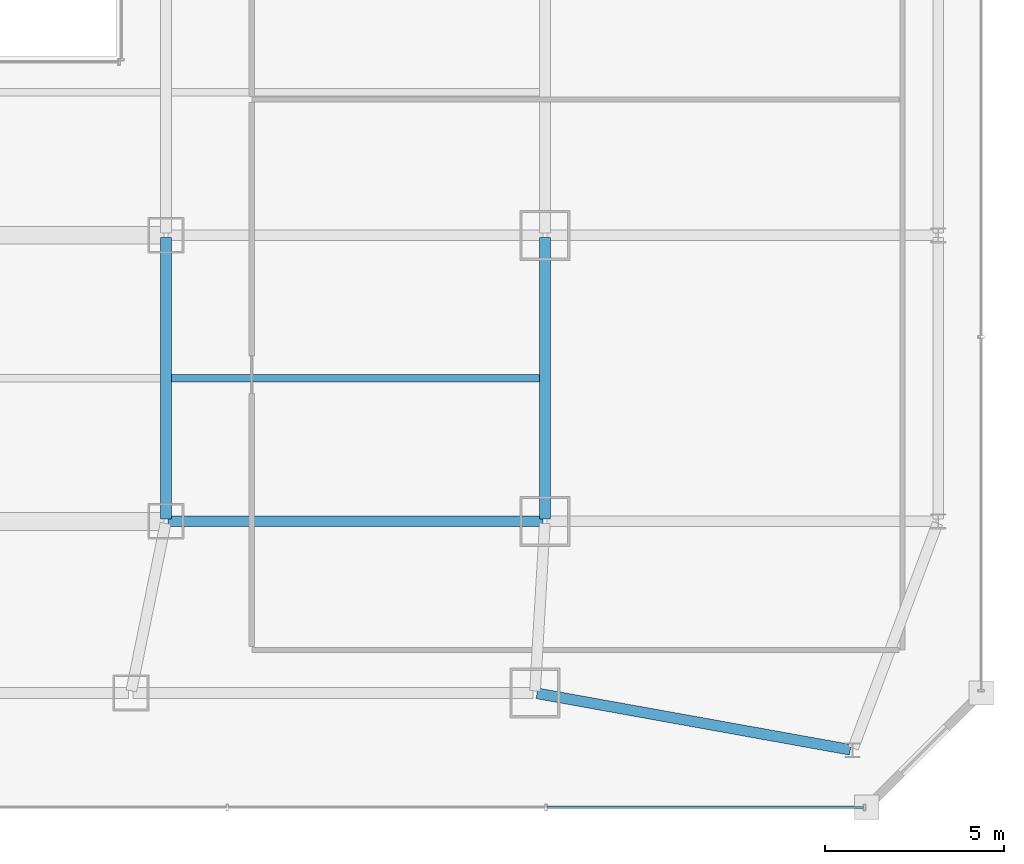
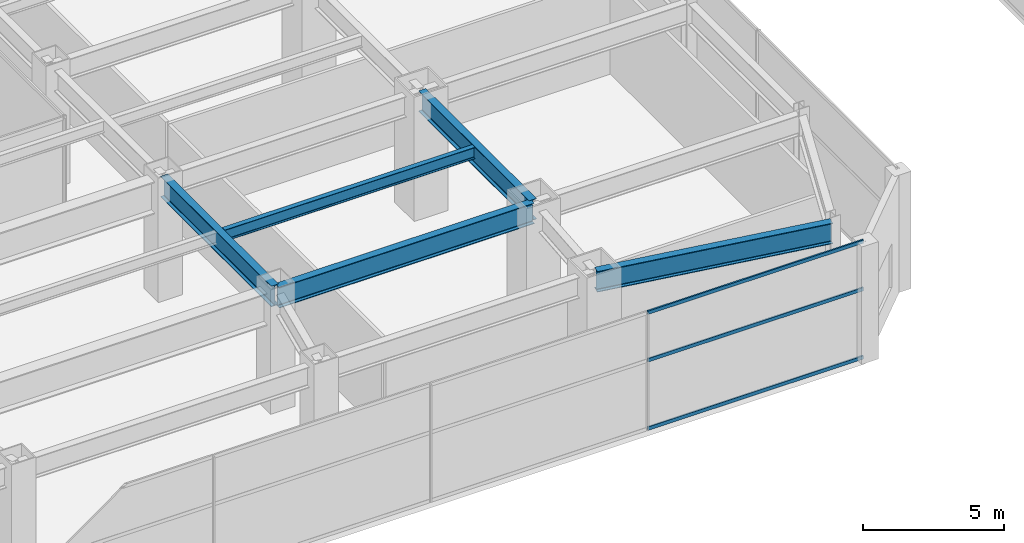
# One storey, part 16 of 51: 5 beams, 3 members, 1 element without a shape of its own.
"""IFC4 building model written with IfcOpenShell, lengths in metres."""

import ifcopenshell
import ifcopenshell.guid

model = None  # the IFC model being written
_history = None  # IfcOwnerHistory: only IFC2X3 demands one
_inside = {}  # id of a spatial element -> (the spatial element, [elements in it])
_under = {}  # id of a project, library or spatial element -> (it, [spatial elements below it])
_declared = {}  # id of a project -> (the project, [libraries it declares])
_typed = {}  # id of a type object -> (the type object, [elements of that type])
_made_of = {}  # id of a material, layer set ... -> (it, [elements and type objects made of it])


def new_model(schema):
    """Start an empty IFC model of exactly this schema.

    Asked for "IFC4X3", IfcOpenShell would pick the latest addendum, in which some entities
    have other attributes; the version numbers below select the first issue.
    IFC2X3 requires an IfcOwnerHistory on every rooted entity: one is made here for all.
    """
    global model, _history
    if schema == "IFC4X3":
        model = ifcopenshell.file(schema_version=(4, 3, 0, 0))
    else:
        model = ifcopenshell.file(schema=schema)
    _inside.clear()
    _under.clear()
    _declared.clear()
    _typed.clear()
    _made_of.clear()
    _history = None
    if model.schema == "IFC2X3":
        org = make("IfcOrganization", Name="unknown")
        user = make(
            "IfcPersonAndOrganization",
            ThePerson=make("IfcPerson", FamilyName="unknown"),
            TheOrganization=org,
        )
        app = make(
            "IfcApplication",
            ApplicationDeveloper=org,
            Version="unknown",
            ApplicationFullName="unknown",
            ApplicationIdentifier="unknown",
        )
        _history = make(
            "IfcOwnerHistory",
            OwningUser=user,
            OwningApplication=app,
            ChangeAction="ADDED",
            CreationDate=0,
        )
    return model


def make(cls, **values):
    """One entity of the class cls with the attributes given. An attribute that is None is left unset."""
    return model.create_entity(
        cls, **{name: value for name, value in values.items() if value is not None}
    )


def rooted(cls, **values):
    """An entity with a GlobalId (a new one), such as an element, a storey or a relation."""
    return make(cls, GlobalId=ifcopenshell.guid.new(), OwnerHistory=_history, **values)


def si_unit(unit_type, name, prefix=None):
    """IfcSIUnit, for example si_unit("LENGTHUNIT", "METRE", prefix="MILLI")."""
    return make("IfcSIUnit", UnitType=unit_type, Prefix=prefix, Name=name)


def assignment(units):
    """IfcUnitAssignment: the units of a project."""
    return None if units is None else make("IfcUnitAssignment", Units=units)


def point(xyz):
    """IfcCartesianPoint."""
    return None if xyz is None else make("IfcCartesianPoint", Coordinates=xyz)


def direction(xyz):
    """IfcDirection."""
    return None if xyz is None else make("IfcDirection", DirectionRatios=xyz)


def frame(location, z_axis=None, x_axis=None):
    """IfcAxis2Placement3D, a coordinate frame: its origin and axes. An axis left out is left unset."""
    return make(
        "IfcAxis2Placement3D",
        Location=point(location),
        Axis=direction(z_axis),
        RefDirection=direction(x_axis),
    )


def frame_2d(location, x_axis=None):
    """IfcAxis2Placement2D, a coordinate frame in the plane: its origin and x axis."""
    return make(
        "IfcAxis2Placement2D", Location=point(location), RefDirection=direction(x_axis)
    )


def origin():
    """The frame at (0, 0, 0) with its axes left unset."""
    return frame((0.0, 0.0, 0.0))


def origin_2d():
    """The frame at (0, 0) in the plane with its x axis left unset."""
    return frame_2d((0.0, 0.0))


def place(relative_to, where):
    """IfcLocalPlacement: puts the frame where relative to a parent placement (None: the world)."""
    return make(
        "IfcLocalPlacement", PlacementRelTo=relative_to, RelativePlacement=where
    )


def context(
    kind, dimensions, precision=None, world=None, true_north=None, identifier=None
):
    """IfcGeometricRepresentationContext, for example the 3D "Model" context."""
    return make(
        "IfcGeometricRepresentationContext",
        ContextIdentifier=identifier,
        ContextType=kind,
        CoordinateSpaceDimension=dimensions,
        Precision=precision,
        WorldCoordinateSystem=world,
        TrueNorth=true_north,
    )


def subcontext(parent, identifier, kind, view, scale=None):
    """IfcGeometricRepresentationSubContext, for example "Body" below "Model"."""
    return make(
        "IfcGeometricRepresentationSubContext",
        ContextIdentifier=identifier,
        ContextType=kind,
        ParentContext=parent,
        TargetScale=scale,
        TargetView=view,
    )


def project(units=None, contexts=None):
    """IfcProject with its units and contexts."""
    return rooted(
        "IfcProject",
        Name="project",
        RepresentationContexts=contexts,
        UnitsInContext=assignment(units),
    )


def spatial(cls, under=None, at=None, **own):
    """A site, building, storey or space (cls), placed at a placement, below another one or the project."""
    s = rooted(cls, ObjectPlacement=at, **own)
    if under is not None:
        _under.setdefault(under.id(), (under, []))[1].append(s)
    return s


def profile(cls, at=None, kind="AREA", **sizes):
    """A parametric profile (cls). Its sizes go by their IFC names, for example OverallWidth=200.0."""
    return make(cls, ProfileType=kind, Position=at, **sizes)


def hollow_rectangle(**sizes):
    """IfcRectangleHollowProfileDef."""
    return profile("IfcRectangleHollowProfileDef", **sizes)


def i_section(**sizes):
    """IfcIShapeProfileDef."""
    return profile("IfcIShapeProfileDef", **sizes)


def extrude(swept, where, along, depth):
    """IfcExtrudedAreaSolid: the profile swept, set in the frame where, extruded along a direction by depth."""
    return make(
        "IfcExtrudedAreaSolid",
        SweptArea=swept,
        Position=where,
        ExtrudedDirection=direction(along),
        Depth=depth,
    )


def shape(context_of_items, identifier, shape_type, items):
    """IfcShapeRepresentation: the items that make up one representation, for example the "Body"."""
    return make(
        "IfcShapeRepresentation",
        ContextOfItems=context_of_items,
        RepresentationIdentifier=identifier,
        RepresentationType=shape_type,
        Items=items,
    )


def material(Name=None, Category=None):
    """IfcMaterial."""
    return make("IfcMaterial", Name=Name, Category=Category)


def material_profile(
    of_material, cross_section, Name=None, Category=None, Priority=None
):
    """IfcMaterialProfile: a cross section and its material."""
    return make(
        "IfcMaterialProfile",
        Name=Name,
        Material=of_material,
        Profile=cross_section,
        Priority=Priority,
        Category=Category,
    )


def profile_set(profiles, Name=None, composite=None):
    """IfcMaterialProfileSet."""
    return make(
        "IfcMaterialProfileSet",
        Name=Name,
        MaterialProfiles=profiles,
        CompositeProfile=composite,
    )


def made_of(thing, what):
    """Note that an element or type object is made of a material, layer set ...; save() writes the relation."""
    if what is not None:
        _made_of.setdefault(what.id(), (what, []))[1].append(thing)
    return thing


def type_object(cls, material=None, **own):
    """A type object (cls), such as IfcWallType, which elements share."""
    return made_of(rooted(cls, **own), material)


def element(
    cls,
    number,
    at=None,
    inside=None,
    cuts=None,
    type_object=None,
    material=None,
    context=None,
    identifier="Body",
    shape_type=None,
    held_by="IfcProductDefinitionShape",
    body=None,
    shapes=None,
    **own,
):
    """One element of the class cls, such as IfcWall. Its Tag is "e" and its number.

    at: its placement. inside: the storey or other place that contains it. cuts: it is an
    opening in that element (IfcRelVoidsElement). A single representation is given by context,
    identifier, shape_type and body (its items); several are given by shapes. held_by: the class
    of the entity that holds the representations. save() writes the other relations.
    """
    e = rooted(cls, Tag="e%d" % number, ObjectPlacement=at, **own)
    if body is not None:
        shapes = [shape(context, identifier, shape_type, body)]
    if shapes is not None:
        e.Representation = make(held_by, Representations=shapes)
    if inside is not None:
        _inside.setdefault(inside.id(), (inside, []))[1].append(e)
    if cuts is not None:
        rooted(
            "IfcRelVoidsElement", RelatingBuildingElement=cuts, RelatedOpeningElement=e
        )
    if type_object is not None:
        _typed.setdefault(type_object.id(), (type_object, []))[1].append(e)
    return made_of(e, material)


def aggregate(whole, parts):
    """IfcRelAggregates: a whole, such as a stair, and the parts it consists of."""
    return rooted("IfcRelAggregates", RelatingObject=whole, RelatedObjects=parts)


def save(model, path):
    """Write the relations noted so far, then the file.

    IfcRelAggregates (storeys below a building ...), IfcRelContainedInSpatialStructure (elements
    in a storey), IfcRelDefinesByType, IfcRelAssociatesMaterial and IfcRelDeclares: one each for
    every whole, place, type object, material and project.
    """
    for whole, parts in _under.values():
        aggregate(whole, parts)
    for where, things in _inside.values():
        rooted(
            "IfcRelContainedInSpatialStructure",
            RelatedElements=things,
            RelatingStructure=where,
        )
    for kind, things in _typed.values():
        rooted("IfcRelDefinesByType", RelatedObjects=things, RelatingType=kind)
    for what, things in _made_of.values():
        rooted("IfcRelAssociatesMaterial", RelatedObjects=things, RelatingMaterial=what)
    for by, libraries in _declared.values():
        rooted("IfcRelDeclares", RelatingContext=by, RelatedDefinitions=libraries)
    model.write(path)


model = new_model("IFC4")

# Units and contexts
model_context = context("Model", 3, precision=1e-05, world=origin(), true_north=direction((0.0, 1.0)))
body_context = subcontext(model_context, "Body", "Model", "MODEL_VIEW")
ifc_project = project(units=[si_unit("LENGTHUNIT", "METRE"), si_unit("AREAUNIT", "SQUARE_METRE"), si_unit("VOLUMEUNIT", "CUBIC_METRE"), si_unit("PLANEANGLEUNIT", "RADIAN"), si_unit("MASSUNIT", "GRAM", prefix="KILO")], contexts=[model_context])

# Site, building, storey
site_placement = place(None, origin())
site = spatial("IfcSite", under=ifc_project, at=site_placement, CompositionType="ELEMENT")
building_placement = place(site_placement, origin())
building = spatial("IfcBuilding", under=site, at=building_placement, Name="Saevonmaru Cultural Tower", CompositionType="ELEMENT")
storey_placement = place(building_placement, frame((0.0, 0.0, 6.0)))
storey = spatial("IfcBuildingStorey", under=building, at=storey_placement, Name="L01", CompositionType="ELEMENT", Elevation=6.0)

# Beams
ifc_material_1 = material(Name="Steel SM420", Category="steel")
ifc_material_profile_1 = material_profile(ifc_material_1, i_section(OverallWidth=0.300048828125, OverallDepth=0.89990234375, WebThickness=0.01611328125, FlangeThickness=0.028076171875, FilletRadius=0.028076171875, at=origin_2d()), Name="H-900x300x16x28")
ifc_profile_set_1 = profile_set([ifc_material_profile_1], Name="Steel SM420")
beam_type_1 = type_object("IfcBeamType", Name="BM-G-H900", PredefinedType="BEAM", material=ifc_profile_set_1)
for number, where, z_axis, x_axis, name in (
    (1, (37.199951171875, 8.06005859375, 4.64990234375), (0.0, 1.0, 0.0), (-1.0, 0.0, 0.0), "L01 Podium Girder NS3-2"),
    (2, (47.800048828125, 8.06005859375, 4.64990234375), (0.0, 1.0, 0.0), (-1.0, 0.0, 0.0), "L01 Podium Girder NS4-2"),
):
    element("IfcBeam", number, at=place(storey_placement, frame(where, z_axis=z_axis, x_axis=x_axis)), inside=storey, type_object=beam_type_1, Name=name, PredefinedType="BEAM", context=body_context, shape_type="SweptSolid", body=[
        extrude(i_section(OverallWidth=0.300048828125, OverallDepth=0.89990234375, WebThickness=0.01611328125, FlangeThickness=0.028076171875, FilletRadius=0.028076171875, at=origin_2d()), origin(), (0.0, 0.0, 1.0), 7.8798828125),
    ])
beam_1_placement = place(storey_placement, frame((37.260009765625, 8.0, 4.64990234375), z_axis=(1.0, 0.0, 0.0), x_axis=(0.0, 1.0, 0.0)))
element("IfcBeam", 3, at=beam_1_placement, inside=storey, type_object=beam_type_1, Name="L01 Gallery Girder E-1", PredefinedType="BEAM", context=body_context, shape_type="SweptSolid", body=[
    extrude(i_section(OverallWidth=0.300048828125, OverallDepth=0.89990234375, WebThickness=0.01611328125, FlangeThickness=0.028076171875, FilletRadius=0.028076171875, at=origin_2d()), origin(), (0.0, 0.0, 1.0), 10.47998046875),
])
beam_2_placement = place(storey_placement, frame((47.5791015625, 3.189453125, 4.64990234375), z_axis=(0.984149934695, -0.177338394151, 0.0), x_axis=(0.177338394151, 0.984149934695, 0.0)))
element("IfcBeam", 4, at=beam_2_placement, inside=storey, type_object=beam_type_1, Name="BM-POD-PS-2-L01", PredefinedType="BEAM", context=body_context, shape_type="SweptSolid", body=[
    extrude(i_section(OverallWidth=0.300048828125, OverallDepth=0.89990234375, WebThickness=0.01611328125, FlangeThickness=0.028076171875, FilletRadius=0.028076171875, at=origin_2d()), origin(), (0.0, 0.0, 1.0), 8.903076171875),
])
ifc_material_2 = material(Name="Steel SM355", Category="steel")
ifc_material_profile_2 = material_profile(ifc_material_2, i_section(OverallWidth=0.199951171875, OverallDepth=0.5, WebThickness=0.010009765625, FlangeThickness=0.01611328125, FilletRadius=0.02001953125, at=origin_2d()), Name="H-500x200x10x16")
ifc_profile_set_2 = profile_set([ifc_material_profile_2], Name="Steel SM355")
beam_type_2 = type_object("IfcBeamType", Name="BM-J-H500", PredefinedType="JOIST", material=ifc_profile_set_2)
beam_3_placement = place(storey_placement, frame((37.35791015625, 12.0, 4.85009765625), z_axis=(1.0, 0.0, 0.0), x_axis=(0.0, 1.0, 0.0)))
element("IfcBeam", 5, at=beam_3_placement, inside=storey, type_object=beam_type_2, Name="L01 Secondary Floor Joist JE-1", PredefinedType="JOIST", context=body_context, shape_type="SweptSolid", body=[
    extrude(i_section(OverallWidth=0.199951171875, OverallDepth=0.5, WebThickness=0.010009765625, FlangeThickness=0.01611328125, FilletRadius=0.02001953125, at=origin_2d()), origin(), (0.0, 0.0, 1.0), 10.2841796875),
])

# Curtain wall, members
ifc_material_3 = material(Name="Satin Bronze Anodised Aluminium", Category="aluminium")
curtain_wall_type = type_object("IfcCurtainWallType", Name="CW-POD-GLZ", PredefinedType="NOTDEFINED", material=ifc_material_3)
curtain_wall_placement = place(storey_placement, origin())
curtain_wall = element("IfcCurtainWall", 6, at=curtain_wall_placement, inside=storey, type_object=curtain_wall_type, Name="L01 South Grand Foyer Curtain Wall", PredefinedType="NOTDEFINED")
ifc_material_profile_3 = material_profile(ifc_material_3, hollow_rectangle(XDim=0.06494140625, YDim=0.14990234375, WallThickness=0.00390625, at=origin_2d()), Name="ALU-TRAN-150x65x4")
ifc_profile_set_3 = profile_set([ifc_material_profile_3], Name="Satin Bronze Anodised Aluminium")
member_type = type_object("IfcMemberType", Name="TR-CW-150x65", PredefinedType="USERDEFINED", material=ifc_profile_set_3)
member_1_placement = place(storey_placement, frame((47.859130859375, 0.0, 0.032470703125), z_axis=(1.0, 0.0, 0.0), x_axis=(0.0, 1.0, 0.0)))
member_1 = element("IfcMember", 7, at=member_1_placement, type_object=member_type, Name="CW-POD-S-L01 transom 6.1", ObjectType="TRANSOM", PredefinedType="USERDEFINED", context=body_context, shape_type="SweptSolid", body=[
    extrude(hollow_rectangle(XDim=0.06494140625, YDim=0.14990234375, WallThickness=0.00390625, at=origin_2d()), origin(), (0.0, 0.0, 1.0), 8.848388671875),
])
member_2_placement = place(storey_placement, frame((47.859130859375, 0.0, 3.0), z_axis=(1.0, 0.0, 0.0), x_axis=(0.0, 1.0, 0.0)))
member_2 = element("IfcMember", 8, at=member_2_placement, type_object=member_type, Name="CW-POD-S-L01 transom 6.2", ObjectType="TRANSOM", PredefinedType="USERDEFINED", context=body_context, shape_type="SweptSolid", body=[
    extrude(hollow_rectangle(XDim=0.06494140625, YDim=0.14990234375, WallThickness=0.00390625, at=origin_2d()), origin(), (0.0, 0.0, 1.0), 8.848388671875),
])
member_3_placement = place(storey_placement, frame((47.859130859375, 0.0, 5.0673828125), z_axis=(1.0, 0.0, 0.0), x_axis=(0.0, 1.0, 0.0)))
member_3 = element("IfcMember", 9, at=member_3_placement, type_object=member_type, Name="CW-POD-S-L01 transom 6.3", ObjectType="TRANSOM", PredefinedType="USERDEFINED", context=body_context, shape_type="SweptSolid", body=[
    extrude(hollow_rectangle(XDim=0.06494140625, YDim=0.14990234375, WallThickness=0.00390625, at=origin_2d()), origin(), (0.0, 0.0, 1.0), 8.848388671875),
])
aggregate(curtain_wall, [member_1, member_2, member_3])

save(model, "model.ifc")
